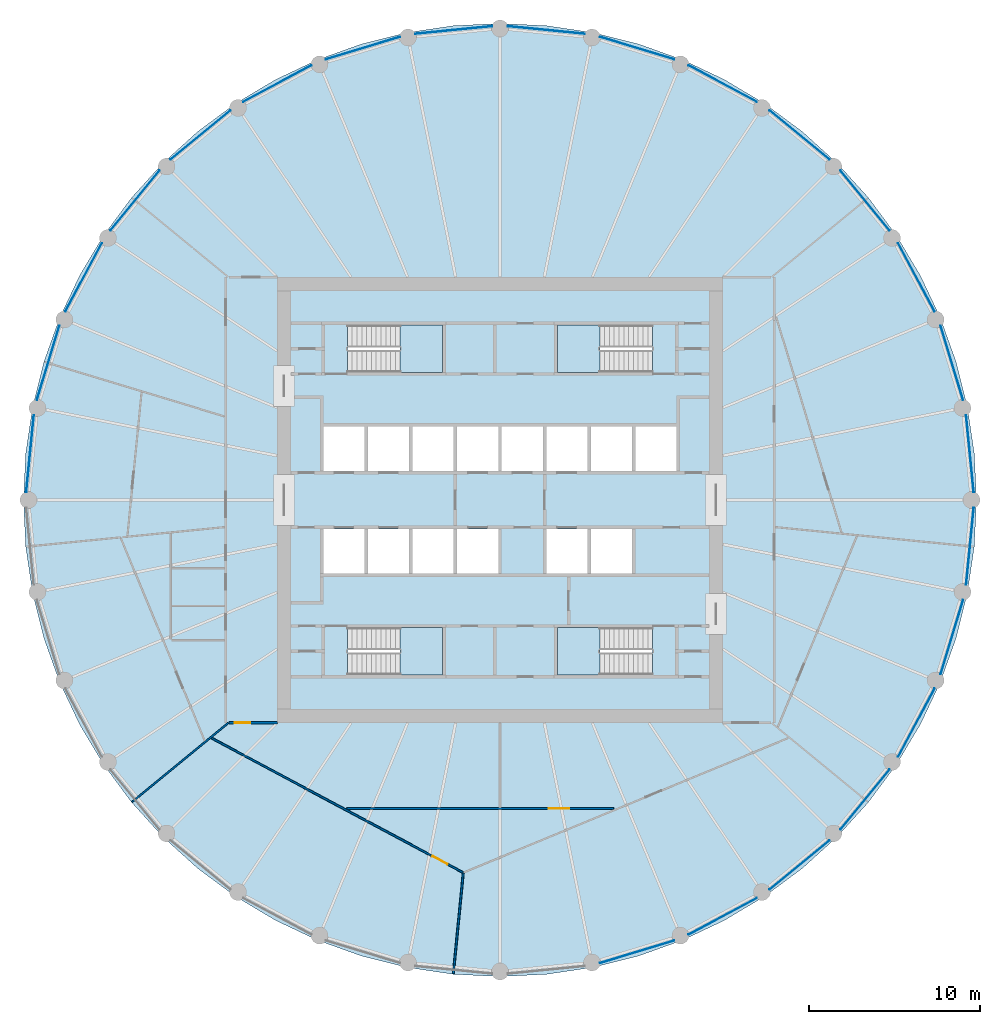
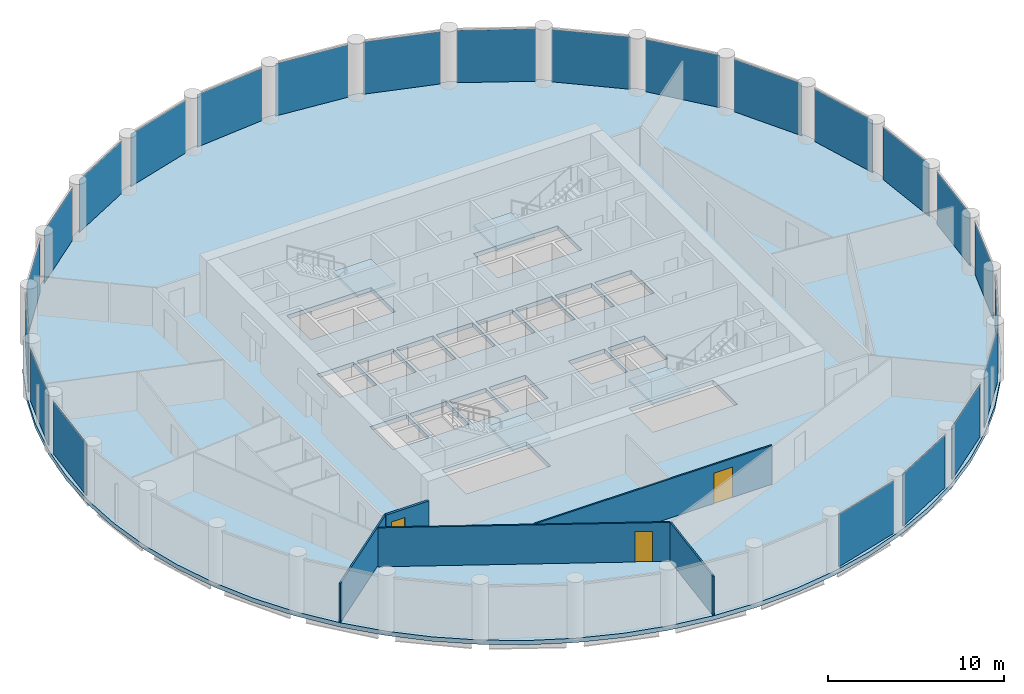
# One storey, part 3 of 8: 23 plates, 5 slabs, 5 walls, 3 doors, 3 openings, 27 elements without a shape of their own.
"""IFC4 building model written with IfcOpenShell, lengths in metres."""

from ifc_helpers import new_model, si_unit, direction, frame, frame_2d, origin, origin_2d, place, context, subcontext, project, spatial, polyline, rectangle, outline, extrude, material, layer, layer_set, type_object, element, fill, aggregate, save


model = new_model("IFC4")

# Units and contexts
model_context = context("Model", 3, precision=1e-05, world=origin(), true_north=direction((0.0, 1.0)))
body_context = subcontext(model_context, "Body", "Model", "MODEL_VIEW")
ifc_project = project(units=[si_unit("LENGTHUNIT", "METRE"), si_unit("AREAUNIT", "SQUARE_METRE"), si_unit("VOLUMEUNIT", "CUBIC_METRE"), si_unit("PLANEANGLEUNIT", "RADIAN"), si_unit("MASSUNIT", "GRAM", prefix="KILO")], contexts=[model_context])

# Site, building, storey
site_placement = place(None, origin())
site = spatial("IfcSite", under=ifc_project, at=site_placement, CompositionType="ELEMENT")
building_placement = place(site_placement, origin())
building = spatial("IfcBuilding", under=site, at=building_placement, Name="Corvane Civic Tower", CompositionType="ELEMENT")
storey_placement = place(building_placement, frame((0.0, 0.0, 229.5)))
storey = spatial("IfcBuildingStorey", under=building, at=storey_placement, Name="L54", CompositionType="ELEMENT", Elevation=229.5)

# Slab
ifc_material_1 = material(Name="Concrete C40/50", Category="concrete")
ifc_layer_1 = layer(ifc_material_1, 0.300048828125)
ifc_layer_set_1 = layer_set([ifc_layer_1], Name="Concrete C40/50")
slab_type_1 = type_object("IfcSlabType", Name="FLOOR SLAB 300", PredefinedType="FLOOR", material=ifc_layer_set_1)
slab_1_placement = place(storey_placement, frame((0.0, 0.0, -0.300048828125)))
element("IfcSlab", 1, at=slab_1_placement, inside=storey, type_object=slab_type_1, Name="SLB-L54", PredefinedType="FLOOR", context=body_context, shape_type="SweptSolid", body=[
    extrude(outline(polyline([(0.0, 27.800048828125), (-2.724853515625, 27.666015625), (-5.423583984375, 27.265869140625), (-8.06982421875, 26.60302734375), (-10.638671875, 25.683837890625), (-13.104736328125, 24.517333984375), (-15.44482421875, 23.11474609375), (-17.63623046875, 21.48974609375), (-19.657470703125, 19.657470703125), (-21.48974609375, 17.63623046875), (-23.11474609375, 15.44482421875), (-24.517333984375, 13.104736328125), (-25.683837890625, 10.638671875), (-26.60302734375, 8.06982421875), (-27.265869140625, 5.423583984375), (-27.666015625, 2.724853515625), (-27.800048828125, 0.0), (-27.666015625, -2.724853515625), (-27.265869140625, -5.423583984375), (-26.60302734375, -8.06982421875), (-25.683837890625, -10.638671875), (-24.517333984375, -13.104736328125), (-23.11474609375, -15.44482421875), (-21.48974609375, -17.63623046875), (-19.657470703125, -19.657470703125), (-17.63623046875, -21.48974609375), (-15.44482421875, -23.11474609375), (-13.104736328125, -24.517333984375), (-10.638671875, -25.683837890625), (-8.06982421875, -26.60302734375), (-5.423583984375, -27.265869140625), (-2.724853515625, -27.666015625), (0.0, -27.800048828125), (2.724853515625, -27.666015625), (5.423583984375, -27.265869140625), (8.06982421875, -26.60302734375), (10.638671875, -25.683837890625), (13.104736328125, -24.517333984375), (15.44482421875, -23.11474609375), (17.63623046875, -21.48974609375), (19.657470703125, -19.657470703125), (21.48974609375, -17.63623046875), (23.11474609375, -15.44482421875), (24.517333984375, -13.104736328125), (25.683837890625, -10.638671875), (26.60302734375, -8.06982421875), (27.265869140625, -5.423583984375), (27.666015625, -2.724853515625), (27.800048828125, 0.0), (27.666015625, 2.724853515625), (27.265869140625, 5.423583984375), (26.60302734375, 8.06982421875), (25.683837890625, 10.638671875), (24.517333984375, 13.104736328125), (23.11474609375, 15.44482421875), (21.48974609375, 17.63623046875), (19.657470703125, 19.657470703125), (17.63623046875, 21.48974609375), (15.44482421875, 23.11474609375), (13.104736328125, 24.517333984375), (10.638671875, 25.683837890625), (8.06982421875, 26.60302734375), (5.423583984375, 27.265869140625), (2.724853515625, 27.666015625), (0.0, 27.800048828125)]), holes=[polyline([(-10.300048828125, 4.300048828125), (-7.89990234375, 4.300048828125), (-7.89990234375, 1.699951171875), (-10.300048828125, 1.699951171875), (-10.300048828125, 4.300048828125)]), polyline([(-5.300048828125, 1.699951171875), (-7.699951171875, 1.699951171875), (-7.699951171875, 4.300048828125), (-5.300048828125, 4.300048828125), (-5.300048828125, 1.699951171875)]), polyline([(-5.10009765625, 4.300048828125), (-2.699951171875, 4.300048828125), (-2.699951171875, 1.699951171875), (-5.10009765625, 1.699951171875), (-5.10009765625, 4.300048828125)]), polyline([(-0.10009765625, 4.300048828125), (-0.10009765625, 1.699951171875), (-2.5, 1.699951171875), (-2.5, 4.300048828125), (-0.10009765625, 4.300048828125)]), polyline([(2.5, 4.300048828125), (2.5, 1.699951171875), (0.10009765625, 1.699951171875), (0.10009765625, 4.300048828125), (2.5, 4.300048828125)]), polyline([(2.699951171875, 4.300048828125), (5.10009765625, 4.300048828125), (5.10009765625, 1.699951171875), (2.699951171875, 1.699951171875), (2.699951171875, 4.300048828125)]), polyline([(5.300048828125, 4.300048828125), (7.699951171875, 4.300048828125), (7.699951171875, 1.699951171875), (5.300048828125, 1.699951171875), (5.300048828125, 4.300048828125)]), polyline([(7.89990234375, 4.300048828125), (10.300048828125, 4.300048828125), (10.300048828125, 1.699951171875), (7.89990234375, 1.699951171875), (7.89990234375, 4.300048828125)]), polyline([(-10.300048828125, -4.300048828125), (-10.300048828125, -1.699951171875), (-7.89990234375, -1.699951171875), (-7.89990234375, -4.300048828125), (-10.300048828125, -4.300048828125)]), polyline([(-5.300048828125, -1.699951171875), (-5.300048828125, -4.300048828125), (-7.699951171875, -4.300048828125), (-7.699951171875, -1.699951171875), (-5.300048828125, -1.699951171875)]), polyline([(-5.10009765625, -4.300048828125), (-5.10009765625, -1.699951171875), (-2.699951171875, -1.699951171875), (-2.699951171875, -4.300048828125), (-5.10009765625, -4.300048828125)]), polyline([(-0.10009765625, -1.699951171875), (-0.10009765625, -4.300048828125), (-2.5, -4.300048828125), (-2.5, -1.699951171875), (-0.10009765625, -1.699951171875)]), polyline([(5.10009765625, -1.699951171875), (5.10009765625, -4.300048828125), (2.699951171875, -4.300048828125), (2.699951171875, -1.699951171875), (5.10009765625, -1.699951171875)]), polyline([(7.699951171875, -1.699951171875), (7.699951171875, -4.300048828125), (5.300048828125, -4.300048828125), (5.300048828125, -1.699951171875), (7.699951171875, -1.699951171875)]), polyline([(8.889892578125, 10.199951171875), (8.889892578125, 7.449951171875), (3.35009765625, 7.449951171875), (3.35009765625, 10.199951171875), (8.889892578125, 10.199951171875)]), polyline([(-8.889892578125, 7.449951171875), (-8.889892578125, 10.199951171875), (-3.35009765625, 10.199951171875), (-3.35009765625, 7.449951171875), (-8.889892578125, 7.449951171875)]), polyline([(8.889892578125, -7.449951171875), (8.889892578125, -10.199951171875), (3.35009765625, -10.199951171875), (3.35009765625, -7.449951171875), (8.889892578125, -7.449951171875)]), polyline([(-8.889892578125, -10.199951171875), (-8.889892578125, -7.449951171875), (-3.35009765625, -7.449951171875), (-3.35009765625, -10.199951171875), (-8.889892578125, -10.199951171875)])]), origin(), (0.0, 0.0, 1.0), 0.300048828125),
])

# Stair, slab
ifc_material_2 = material(Name="Concrete C40/50", Category="concrete")
stair_type = type_object("IfcStairType", Name="ST-STAIR-HALFTURN", PredefinedType="HALF_TURN_STAIR", material=ifc_material_2)
stair_1_placement = place(storey_placement, origin())
stair_1 = element("IfcStair", 2, at=stair_1_placement, inside=storey, type_object=stair_type, Name="L54 Exit stair ST1", PredefinedType="HALF_TURN_STAIR")
ifc_material_3 = material(Name="Concrete C40/50", Category="concrete")
ifc_layer_2 = layer(ifc_material_3, 0.199951171875)
ifc_layer_set_2 = layer_set([ifc_layer_2], Name="Concrete C40/50")
slab_type_2 = type_object("IfcSlabType", Name="ST-LANDING-RC", PredefinedType="LANDING", material=ifc_layer_set_2)
slab_2_placement = place(storey_placement, frame((0.0, 0.0, 1.800048828125)))
slab_2 = element("IfcSlab", 3, at=slab_2_placement, type_object=slab_type_2, Name="ST1 landing 1", PredefinedType="LANDING", context=body_context, shape_type="SweptSolid", body=[
    extrude(outline(polyline([(5.820068359375, 10.199951171875), (3.35009765625, 10.199951171875), (3.35009765625, 7.449951171875), (5.820068359375, 7.449951171875), (5.820068359375, 10.199951171875)])), origin(), (0.0, 0.0, 1.0), 0.199951171875),
])
aggregate(stair_1, [slab_2])

stair_2_placement = place(storey_placement, origin())
stair_2 = element("IfcStair", 4, at=stair_2_placement, inside=storey, type_object=stair_type, Name="L54 Exit stair ST2", PredefinedType="HALF_TURN_STAIR")
slab_3_placement = place(storey_placement, frame((0.0, 0.0, 1.800048828125)))
slab_3 = element("IfcSlab", 5, at=slab_3_placement, type_object=slab_type_2, Name="ST2 landing 1", PredefinedType="LANDING", context=body_context, shape_type="SweptSolid", body=[
    extrude(outline(polyline([(5.820068359375, -7.449951171875), (3.35009765625, -7.449951171875), (3.35009765625, -10.199951171875), (5.820068359375, -10.199951171875), (5.820068359375, -7.449951171875)])), origin(), (0.0, 0.0, 1.0), 0.199951171875),
])
aggregate(stair_2, [slab_3])

stair_3_placement = place(storey_placement, origin())
stair_3 = element("IfcStair", 6, at=stair_3_placement, inside=storey, type_object=stair_type, Name="L54 Exit stair ST3", PredefinedType="HALF_TURN_STAIR")
slab_4_placement = place(storey_placement, frame((0.0, 0.0, 1.800048828125)))
slab_4 = element("IfcSlab", 7, at=slab_4_placement, type_object=slab_type_2, Name="ST3 landing 1", PredefinedType="LANDING", context=body_context, shape_type="SweptSolid", body=[
    extrude(outline(polyline([(-5.820068359375, -10.199951171875), (-3.35009765625, -10.199951171875), (-3.35009765625, -7.449951171875), (-5.820068359375, -7.449951171875), (-5.820068359375, -10.199951171875)])), origin(), (0.0, 0.0, 1.0), 0.199951171875),
])
aggregate(stair_3, [slab_4])

stair_4_placement = place(storey_placement, origin())
stair_4 = element("IfcStair", 8, at=stair_4_placement, inside=storey, type_object=stair_type, Name="L54 Exit stair ST4", PredefinedType="HALF_TURN_STAIR")
slab_5_placement = place(storey_placement, frame((0.0, 0.0, 1.800048828125)))
slab_5 = element("IfcSlab", 9, at=slab_5_placement, type_object=slab_type_2, Name="ST4 landing 1", PredefinedType="LANDING", context=body_context, shape_type="SweptSolid", body=[
    extrude(outline(polyline([(-5.820068359375, 7.449951171875), (-3.35009765625, 7.449951171875), (-3.35009765625, 10.199951171875), (-5.820068359375, 10.199951171875), (-5.820068359375, 7.449951171875)])), origin(), (0.0, 0.0, 1.0), 0.199951171875),
])
aggregate(stair_4, [slab_5])

# Curtain wall, plate
ifc_material_4 = material(Name="Anodised aluminium bronze", Category="aluminium")
curtain_wall_type = type_object("IfcCurtainWallType", Name="TOWER CW-T2 STICK CURTAIN WALL", PredefinedType="NOTDEFINED", material=ifc_material_4)
curtain_wall_1_placement = place(storey_placement, origin())
curtain_wall_1 = element("IfcCurtainWall", 10, at=curtain_wall_1_placement, inside=storey, type_object=curtain_wall_type, Name="Curtain wall CW-T2 L54 bay 01", PredefinedType="NOTDEFINED")
ifc_material_5 = material(Name="Tinted glass", Category="glass")
ifc_layer_3 = layer(ifc_material_5, 0.031982421875)
ifc_layer_set_3 = layer_set([ifc_layer_3], Name="Tinted glass")
plate_type = type_object("IfcPlateType", Name="TOWER CW-T2 PANEL IGU32", PredefinedType="CURTAIN_PANEL", material=ifc_layer_set_3)
plate_1_placement = place(storey_placement, frame((2.699951171875, 27.4140625, 0.0), z_axis=(0.0, 0.0, 1.0), x_axis=(0.995187058378, -0.097993463235, 0.0)))
plate_1 = element("IfcPlate", 11, at=plate_1_placement, type_object=plate_type, Name="Glass panel CW-T2 L54 01.1", PredefinedType="CURTAIN_PANEL", context=body_context, shape_type="SweptSolid", body=[
    extrude(rectangle(XDim=4.517333984375, YDim=0.031982421875, at=origin_2d()), origin(), (0.0, 0.0, 1.0), 3.6298828125),
])
aggregate(curtain_wall_1, [plate_1])

curtain_wall_2_placement = place(storey_placement, origin())
curtain_wall_2 = element("IfcCurtainWall", 12, at=curtain_wall_2_placement, inside=storey, type_object=curtain_wall_type, Name="Curtain wall CW-T2 L54 bay 02", PredefinedType="NOTDEFINED")
plate_2_placement = place(storey_placement, frame((7.996337890625, 26.360595703125, 0.0), z_axis=(0.0, 0.0, 1.0), x_axis=(0.956938843612, -0.290289596069, 0.0)))
plate_2 = element("IfcPlate", 13, at=plate_2_placement, type_object=plate_type, Name="Glass panel CW-T2 L54 02.1", PredefinedType="CURTAIN_PANEL", context=body_context, shape_type="SweptSolid", body=[
    extrude(rectangle(XDim=4.517333984375, YDim=0.031982421875, at=origin_2d()), origin(), (0.0, 0.0, 1.0), 3.6298828125),
])
aggregate(curtain_wall_2, [plate_2])

curtain_wall_3_placement = place(storey_placement, origin())
curtain_wall_3 = element("IfcCurtainWall", 14, at=curtain_wall_3_placement, inside=storey, type_object=curtain_wall_type, Name="Curtain wall CW-T2 L54 bay 03", PredefinedType="NOTDEFINED")
plate_3_placement = place(storey_placement, frame((12.9853515625, 24.294189453125, 0.0), z_axis=(0.0, 0.0, 1.0), x_axis=(0.881920381001, -0.471398389449, 0.0)))
plate_3 = element("IfcPlate", 15, at=plate_3_placement, type_object=plate_type, Name="Glass panel CW-T2 L54 03.1", PredefinedType="CURTAIN_PANEL", context=body_context, shape_type="SweptSolid", body=[
    extrude(rectangle(XDim=4.517333984375, YDim=0.031982421875, at=origin_2d()), origin(), (0.0, 0.0, 1.0), 3.6298828125),
])
aggregate(curtain_wall_3, [plate_3])

curtain_wall_4_placement = place(storey_placement, origin())
curtain_wall_4 = element("IfcCurtainWall", 16, at=curtain_wall_4_placement, inside=storey, type_object=curtain_wall_type, Name="Curtain wall CW-T2 L54 bay 04", PredefinedType="NOTDEFINED")
plate_4_placement = place(storey_placement, frame((17.475341796875, 21.2939453125, 0.0), z_axis=(0.0, 0.0, 1.0), x_axis=(0.773012269331, -0.634391071394, 0.0)))
plate_4 = element("IfcPlate", 17, at=plate_4_placement, type_object=plate_type, Name="Glass panel CW-T2 L54 04.1", PredefinedType="CURTAIN_PANEL", context=body_context, shape_type="SweptSolid", body=[
    extrude(rectangle(XDim=4.517333984375, YDim=0.031982421875, at=origin_2d()), origin(), (0.0, 0.0, 1.0), 3.6298828125),
])
aggregate(curtain_wall_4, [plate_4])

curtain_wall_5_placement = place(storey_placement, origin())
curtain_wall_5 = element("IfcCurtainWall", 18, at=curtain_wall_5_placement, inside=storey, type_object=curtain_wall_type, Name="Curtain wall CW-T2 L54 bay 05", PredefinedType="NOTDEFINED")
plate_5_placement = place(storey_placement, frame((21.2939453125, 17.475341796875, 0.0), z_axis=(0.0, 0.0, 1.0), x_axis=(0.634391071394, -0.773012269331, 0.0)))
plate_5 = element("IfcPlate", 19, at=plate_5_placement, type_object=plate_type, Name="Glass panel CW-T2 L54 05.1", PredefinedType="CURTAIN_PANEL", context=body_context, shape_type="SweptSolid", body=[
    extrude(rectangle(XDim=4.517333984375, YDim=0.031982421875, at=origin_2d()), origin(), (0.0, 0.0, 1.0), 3.6298828125),
])
aggregate(curtain_wall_5, [plate_5])

curtain_wall_6_placement = place(storey_placement, origin())
curtain_wall_6 = element("IfcCurtainWall", 20, at=curtain_wall_6_placement, inside=storey, type_object=curtain_wall_type, Name="Curtain wall CW-T2 L54 bay 06", PredefinedType="NOTDEFINED")
plate_6_placement = place(storey_placement, frame((24.294189453125, 12.9853515625, 0.0), z_axis=(0.0, 0.0, 1.0), x_axis=(0.471398389449, -0.881920381001, 0.0)))
plate_6 = element("IfcPlate", 21, at=plate_6_placement, type_object=plate_type, Name="Glass panel CW-T2 L54 06.1", PredefinedType="CURTAIN_PANEL", context=body_context, shape_type="SweptSolid", body=[
    extrude(rectangle(XDim=4.517333984375, YDim=0.031982421875, at=origin_2d()), origin(), (0.0, 0.0, 1.0), 3.6298828125),
])
aggregate(curtain_wall_6, [plate_6])

curtain_wall_7_placement = place(storey_placement, origin())
curtain_wall_7 = element("IfcCurtainWall", 22, at=curtain_wall_7_placement, inside=storey, type_object=curtain_wall_type, Name="Curtain wall CW-T2 L54 bay 07", PredefinedType="NOTDEFINED")
plate_7_placement = place(storey_placement, frame((26.360595703125, 7.996337890625, 0.0), z_axis=(0.0, 0.0, 1.0), x_axis=(0.290289596069, -0.956938843612, 0.0)))
plate_7 = element("IfcPlate", 23, at=plate_7_placement, type_object=plate_type, Name="Glass panel CW-T2 L54 07.1", PredefinedType="CURTAIN_PANEL", context=body_context, shape_type="SweptSolid", body=[
    extrude(rectangle(XDim=4.517333984375, YDim=0.031982421875, at=origin_2d()), origin(), (0.0, 0.0, 1.0), 3.6298828125),
])
aggregate(curtain_wall_7, [plate_7])

curtain_wall_8_placement = place(storey_placement, origin())
curtain_wall_8 = element("IfcCurtainWall", 24, at=curtain_wall_8_placement, inside=storey, type_object=curtain_wall_type, Name="Curtain wall CW-T2 L54 bay 08", PredefinedType="NOTDEFINED")
plate_8_placement = place(storey_placement, frame((27.4140625, 2.699951171875, 0.0), z_axis=(0.0, 0.0, 1.0), x_axis=(0.097993463235, -0.995187058378, 0.0)))
plate_8 = element("IfcPlate", 25, at=plate_8_placement, type_object=plate_type, Name="Glass panel CW-T2 L54 08.1", PredefinedType="CURTAIN_PANEL", context=body_context, shape_type="SweptSolid", body=[
    extrude(rectangle(XDim=4.517333984375, YDim=0.031982421875, at=origin_2d()), origin(), (0.0, 0.0, 1.0), 3.6298828125),
])
aggregate(curtain_wall_8, [plate_8])

curtain_wall_9_placement = place(storey_placement, origin())
curtain_wall_9 = element("IfcCurtainWall", 26, at=curtain_wall_9_placement, inside=storey, type_object=curtain_wall_type, Name="Curtain wall CW-T2 L54 bay 09", PredefinedType="NOTDEFINED")
plate_9_placement = place(storey_placement, frame((27.4140625, -2.699951171875, 0.0), z_axis=(0.0, 0.0, 1.0), x_axis=(-0.097993463235, -0.995187058378, 0.0)))
plate_9 = element("IfcPlate", 27, at=plate_9_placement, type_object=plate_type, Name="Glass panel CW-T2 L54 09.1", PredefinedType="CURTAIN_PANEL", context=body_context, shape_type="SweptSolid", body=[
    extrude(rectangle(XDim=4.517333984375, YDim=0.031982421875, at=origin_2d()), origin(), (0.0, 0.0, 1.0), 3.6298828125),
])
aggregate(curtain_wall_9, [plate_9])

curtain_wall_10_placement = place(storey_placement, origin())
curtain_wall_10 = element("IfcCurtainWall", 28, at=curtain_wall_10_placement, inside=storey, type_object=curtain_wall_type, Name="Curtain wall CW-T2 L54 bay 10", PredefinedType="NOTDEFINED")
plate_10_placement = place(storey_placement, frame((26.360595703125, -7.996337890625, 0.0), z_axis=(0.0, 0.0, 1.0), x_axis=(-0.290289596069, -0.956938843612, 0.0)))
plate_10 = element("IfcPlate", 29, at=plate_10_placement, type_object=plate_type, Name="Glass panel CW-T2 L54 10.1", PredefinedType="CURTAIN_PANEL", context=body_context, shape_type="SweptSolid", body=[
    extrude(rectangle(XDim=4.517333984375, YDim=0.031982421875, at=origin_2d()), origin(), (0.0, 0.0, 1.0), 3.6298828125),
])
aggregate(curtain_wall_10, [plate_10])

curtain_wall_11_placement = place(storey_placement, origin())
curtain_wall_11 = element("IfcCurtainWall", 30, at=curtain_wall_11_placement, inside=storey, type_object=curtain_wall_type, Name="Curtain wall CW-T2 L54 bay 11", PredefinedType="NOTDEFINED")
plate_11_placement = place(storey_placement, frame((24.294189453125, -12.9853515625, 0.0), z_axis=(0.0, 0.0, 1.0), x_axis=(-0.471398389449, -0.881920381001, 0.0)))
plate_11 = element("IfcPlate", 31, at=plate_11_placement, type_object=plate_type, Name="Glass panel CW-T2 L54 11.1", PredefinedType="CURTAIN_PANEL", context=body_context, shape_type="SweptSolid", body=[
    extrude(rectangle(XDim=4.517333984375, YDim=0.031982421875, at=origin_2d()), origin(), (0.0, 0.0, 1.0), 3.6298828125),
])
aggregate(curtain_wall_11, [plate_11])

curtain_wall_12_placement = place(storey_placement, origin())
curtain_wall_12 = element("IfcCurtainWall", 32, at=curtain_wall_12_placement, inside=storey, type_object=curtain_wall_type, Name="Curtain wall CW-T2 L54 bay 12", PredefinedType="NOTDEFINED")
plate_12_placement = place(storey_placement, frame((21.2939453125, -17.475341796875, 0.0), z_axis=(0.0, 0.0, 1.0), x_axis=(-0.634391071394, -0.773012269331, 0.0)))
plate_12 = element("IfcPlate", 33, at=plate_12_placement, type_object=plate_type, Name="Glass panel CW-T2 L54 12.1", PredefinedType="CURTAIN_PANEL", context=body_context, shape_type="SweptSolid", body=[
    extrude(rectangle(XDim=4.517333984375, YDim=0.031982421875, at=origin_2d()), origin(), (0.0, 0.0, 1.0), 3.6298828125),
])
aggregate(curtain_wall_12, [plate_12])

curtain_wall_13_placement = place(storey_placement, origin())
curtain_wall_13 = element("IfcCurtainWall", 34, at=curtain_wall_13_placement, inside=storey, type_object=curtain_wall_type, Name="Curtain wall CW-T2 L54 bay 13", PredefinedType="NOTDEFINED")
plate_13_placement = place(storey_placement, frame((17.475341796875, -21.2939453125, 0.0), z_axis=(0.0, 0.0, 1.0), x_axis=(-0.773012269331, -0.634391071394, 0.0)))
plate_13 = element("IfcPlate", 35, at=plate_13_placement, type_object=plate_type, Name="Glass panel CW-T2 L54 13.1", PredefinedType="CURTAIN_PANEL", context=body_context, shape_type="SweptSolid", body=[
    extrude(rectangle(XDim=4.517333984375, YDim=0.031982421875, at=origin_2d()), origin(), (0.0, 0.0, 1.0), 3.6298828125),
])
aggregate(curtain_wall_13, [plate_13])

curtain_wall_14_placement = place(storey_placement, origin())
curtain_wall_14 = element("IfcCurtainWall", 36, at=curtain_wall_14_placement, inside=storey, type_object=curtain_wall_type, Name="Curtain wall CW-T2 L54 bay 14", PredefinedType="NOTDEFINED")
plate_14_placement = place(storey_placement, frame((12.9853515625, -24.294189453125, 0.0), z_axis=(0.0, 0.0, 1.0), x_axis=(-0.881920381001, -0.471398389449, 0.0)))
plate_14 = element("IfcPlate", 37, at=plate_14_placement, type_object=plate_type, Name="Glass panel CW-T2 L54 14.1", PredefinedType="CURTAIN_PANEL", context=body_context, shape_type="SweptSolid", body=[
    extrude(rectangle(XDim=4.517333984375, YDim=0.031982421875, at=origin_2d()), origin(), (0.0, 0.0, 1.0), 3.6298828125),
])
aggregate(curtain_wall_14, [plate_14])

curtain_wall_15_placement = place(storey_placement, origin())
curtain_wall_15 = element("IfcCurtainWall", 38, at=curtain_wall_15_placement, inside=storey, type_object=curtain_wall_type, Name="Curtain wall CW-T2 L54 bay 15", PredefinedType="NOTDEFINED")
plate_15_placement = place(storey_placement, frame((7.996337890625, -26.360595703125, 0.0), z_axis=(0.0, 0.0, 1.0), x_axis=(-0.956938843612, -0.290289596069, 0.0)))
plate_15 = element("IfcPlate", 39, at=plate_15_placement, type_object=plate_type, Name="Glass panel CW-T2 L54 15.1", PredefinedType="CURTAIN_PANEL", context=body_context, shape_type="SweptSolid", body=[
    extrude(rectangle(XDim=4.517333984375, YDim=0.031982421875, at=origin_2d()), origin(), (0.0, 0.0, 1.0), 3.6298828125),
])
aggregate(curtain_wall_15, [plate_15])

curtain_wall_16_placement = place(storey_placement, origin())
curtain_wall_16 = element("IfcCurtainWall", 40, at=curtain_wall_16_placement, inside=storey, type_object=curtain_wall_type, Name="Curtain wall CW-T2 L54 bay 25", PredefinedType="NOTDEFINED")
plate_16_placement = place(storey_placement, frame((-27.4140625, 2.699951171875, 0.0), z_axis=(0.0, 0.0, 1.0), x_axis=(0.097993463235, 0.995187058378, 0.0)))
plate_16 = element("IfcPlate", 41, at=plate_16_placement, type_object=plate_type, Name="Glass panel CW-T2 L54 25.1", PredefinedType="CURTAIN_PANEL", context=body_context, shape_type="SweptSolid", body=[
    extrude(rectangle(XDim=4.517333984375, YDim=0.031982421875, at=origin_2d()), origin(), (0.0, 0.0, 1.0), 3.6298828125),
])
aggregate(curtain_wall_16, [plate_16])

curtain_wall_17_placement = place(storey_placement, origin())
curtain_wall_17 = element("IfcCurtainWall", 42, at=curtain_wall_17_placement, inside=storey, type_object=curtain_wall_type, Name="Curtain wall CW-T2 L54 bay 26", PredefinedType="NOTDEFINED")
plate_17_placement = place(storey_placement, frame((-26.360595703125, 7.996337890625, 0.0), z_axis=(0.0, 0.0, 1.0), x_axis=(0.290289596069, 0.956938843612, 0.0)))
plate_17 = element("IfcPlate", 43, at=plate_17_placement, type_object=plate_type, Name="Glass panel CW-T2 L54 26.1", PredefinedType="CURTAIN_PANEL", context=body_context, shape_type="SweptSolid", body=[
    extrude(rectangle(XDim=4.517333984375, YDim=0.031982421875, at=origin_2d()), origin(), (0.0, 0.0, 1.0), 3.6298828125),
])
aggregate(curtain_wall_17, [plate_17])

curtain_wall_18_placement = place(storey_placement, origin())
curtain_wall_18 = element("IfcCurtainWall", 44, at=curtain_wall_18_placement, inside=storey, type_object=curtain_wall_type, Name="Curtain wall CW-T2 L54 bay 27", PredefinedType="NOTDEFINED")
plate_18_placement = place(storey_placement, frame((-24.294189453125, 12.9853515625, 0.0), z_axis=(0.0, 0.0, 1.0), x_axis=(0.471398389449, 0.881920381001, 0.0)))
plate_18 = element("IfcPlate", 45, at=plate_18_placement, type_object=plate_type, Name="Glass panel CW-T2 L54 27.1", PredefinedType="CURTAIN_PANEL", context=body_context, shape_type="SweptSolid", body=[
    extrude(rectangle(XDim=4.517333984375, YDim=0.031982421875, at=origin_2d()), origin(), (0.0, 0.0, 1.0), 3.6298828125),
])
aggregate(curtain_wall_18, [plate_18])

curtain_wall_19_placement = place(storey_placement, origin())
curtain_wall_19 = element("IfcCurtainWall", 46, at=curtain_wall_19_placement, inside=storey, type_object=curtain_wall_type, Name="Curtain wall CW-T2 L54 bay 28", PredefinedType="NOTDEFINED")
plate_19_placement = place(storey_placement, frame((-21.2939453125, 17.475341796875, 0.0), z_axis=(0.0, 0.0, 1.0), x_axis=(0.634391071394, 0.773012269331, 0.0)))
plate_19 = element("IfcPlate", 47, at=plate_19_placement, type_object=plate_type, Name="Glass panel CW-T2 L54 28.1", PredefinedType="CURTAIN_PANEL", context=body_context, shape_type="SweptSolid", body=[
    extrude(rectangle(XDim=4.517333984375, YDim=0.031982421875, at=origin_2d()), origin(), (0.0, 0.0, 1.0), 3.6298828125),
])
aggregate(curtain_wall_19, [plate_19])

curtain_wall_20_placement = place(storey_placement, origin())
curtain_wall_20 = element("IfcCurtainWall", 48, at=curtain_wall_20_placement, inside=storey, type_object=curtain_wall_type, Name="Curtain wall CW-T2 L54 bay 29", PredefinedType="NOTDEFINED")
plate_20_placement = place(storey_placement, frame((-17.475341796875, 21.2939453125, 0.0), z_axis=(0.0, 0.0, 1.0), x_axis=(0.773012269331, 0.634391071394, 0.0)))
plate_20 = element("IfcPlate", 49, at=plate_20_placement, type_object=plate_type, Name="Glass panel CW-T2 L54 29.1", PredefinedType="CURTAIN_PANEL", context=body_context, shape_type="SweptSolid", body=[
    extrude(rectangle(XDim=4.517333984375, YDim=0.031982421875, at=origin_2d()), origin(), (0.0, 0.0, 1.0), 3.6298828125),
])
aggregate(curtain_wall_20, [plate_20])

curtain_wall_21_placement = place(storey_placement, origin())
curtain_wall_21 = element("IfcCurtainWall", 50, at=curtain_wall_21_placement, inside=storey, type_object=curtain_wall_type, Name="Curtain wall CW-T2 L54 bay 30", PredefinedType="NOTDEFINED")
plate_21_placement = place(storey_placement, frame((-12.9853515625, 24.294189453125, 0.0), z_axis=(0.0, 0.0, 1.0), x_axis=(0.881920381001, 0.471398389449, 0.0)))
plate_21 = element("IfcPlate", 51, at=plate_21_placement, type_object=plate_type, Name="Glass panel CW-T2 L54 30.1", PredefinedType="CURTAIN_PANEL", context=body_context, shape_type="SweptSolid", body=[
    extrude(rectangle(XDim=4.517333984375, YDim=0.031982421875, at=origin_2d()), origin(), (0.0, 0.0, 1.0), 3.6298828125),
])
aggregate(curtain_wall_21, [plate_21])

curtain_wall_22_placement = place(storey_placement, origin())
curtain_wall_22 = element("IfcCurtainWall", 52, at=curtain_wall_22_placement, inside=storey, type_object=curtain_wall_type, Name="Curtain wall CW-T2 L54 bay 31", PredefinedType="NOTDEFINED")
plate_22_placement = place(storey_placement, frame((-7.996337890625, 26.360595703125, 0.0), z_axis=(0.0, 0.0, 1.0), x_axis=(0.956938843612, 0.290289596069, 0.0)))
plate_22 = element("IfcPlate", 53, at=plate_22_placement, type_object=plate_type, Name="Glass panel CW-T2 L54 31.1", PredefinedType="CURTAIN_PANEL", context=body_context, shape_type="SweptSolid", body=[
    extrude(rectangle(XDim=4.517333984375, YDim=0.031982421875, at=origin_2d()), origin(), (0.0, 0.0, 1.0), 3.6298828125),
])
aggregate(curtain_wall_22, [plate_22])

curtain_wall_23_placement = place(storey_placement, origin())
curtain_wall_23 = element("IfcCurtainWall", 54, at=curtain_wall_23_placement, inside=storey, type_object=curtain_wall_type, Name="Curtain wall CW-T2 L54 bay 32", PredefinedType="NOTDEFINED")
plate_23_placement = place(storey_placement, frame((-2.699951171875, 27.4140625, 0.0), z_axis=(0.0, 0.0, 1.0), x_axis=(0.995187058378, 0.097993463235, 0.0)))
plate_23 = element("IfcPlate", 55, at=plate_23_placement, type_object=plate_type, Name="Glass panel CW-T2 L54 32.1", PredefinedType="CURTAIN_PANEL", context=body_context, shape_type="SweptSolid", body=[
    extrude(rectangle(XDim=4.517333984375, YDim=0.031982421875, at=origin_2d()), origin(), (0.0, 0.0, 1.0), 3.6298828125),
])
aggregate(curtain_wall_23, [plate_23])

# Wall
ifc_material_6 = material(Name="Plasterboard")
ifc_layer_4 = layer(ifc_material_6, 0.10009765625)
ifc_layer_set_4 = layer_set([ifc_layer_4], Name="Plasterboard")
wall_type_1 = type_object("IfcWallType", Name="Partition 100 plasterboard on studs", PredefinedType="PARTITIONING", material=ifc_layer_set_4)
wall_1_placement = place(storey_placement, frame((-2.719970703125, -27.616455078125, 0.0), z_axis=(0.0, 0.0, 1.0), x_axis=(0.098009744107, 0.995185455109, 0.0)))
element("IfcWall", 56, at=wall_1_placement, inside=storey, type_object=wall_type_1, Name="Partition L54.001", PredefinedType="PARTITIONING", context=body_context, shape_type="SweptSolid", body=[
    extrude(rectangle(XDim=5.873779296875, YDim=0.10009765625, at=frame_2d((2.93701171875, 0.0))), origin(), (0.0, 0.0, 1.0), 2.699951171875),
])

# Wall, opening, door
wall_2_placement = place(storey_placement, frame((-16.81884765625, -13.892333984375, 0.0), z_axis=(0.0, 0.0, 1.0), x_axis=(0.881919236534, -0.471400530581, 0.0)))
wall_2 = element("IfcWall", 57, at=wall_2_placement, inside=storey, type_object=wall_type_1, Name="Partition L54.003", PredefinedType="PARTITIONING", context=body_context, shape_type="SweptSolid", body=[
    extrude(rectangle(XDim=16.609619140625, YDim=0.10009765625, at=frame_2d((8.3046875, 0.0))), origin(), (0.0, 0.0, 1.0), 2.699951171875),
])
opening_1_placement = place(wall_2_placement, frame((14.60888671875, 0.0, 0.0)))
opening_1 = element("IfcOpeningElement", 58, at=opening_1_placement, cuts=wall_2, Name="Opening L54.003", PredefinedType="OPENING", context=body_context, shape_type="SweptSolid", body=[
    extrude(rectangle(XDim=1.0, YDim=2.10009765625, at=frame_2d((0.5, 1.050048828125))), frame((0.0, 0.06005859375, 0.0), z_axis=(0.0, -1.0, 0.0), x_axis=(1.0, 0.0, 0.0)), (0.0, 0.0, 1.0), 0.1201171875),
])
ifc_material_7 = material(Name="Timber", Category="wood")
door_type_1 = type_object("IfcDoorType", Name="Single door 1000", OperationType="NOTDEFINED", PredefinedType="DOOR", material=ifc_material_7)
door_1_placement = place(opening_1_placement, frame((1.0, 0.0, 0.0), z_axis=(0.0, 0.0, 1.0), x_axis=(-1.0, 0.0, 0.0)))
door_1 = element("IfcDoor", 59, at=door_1_placement, inside=storey, type_object=door_type_1, Name="Door L54.003", OperationType="SINGLE_SWING_LEFT", OverallHeight=2.10009765625, OverallWidth=1.0, PredefinedType="DOOR", context=body_context, shape_type="SweptSolid", body=[
    extrude(rectangle(XDim=1.0, YDim=2.10009765625, at=frame_2d((0.5, 1.050048828125))), frame((0.0, 0.02490234375, 0.0), z_axis=(0.0, -1.0, 0.0), x_axis=(1.0, 0.0, 0.0)), (0.0, 0.0, 1.0), 0.050048828125),
])
fill(opening_1, door_1)

wall_3_placement = place(storey_placement, frame((-8.9345703125, -18.0, 0.0), z_axis=(0.0, 0.0, 1.0), x_axis=(1.0, 0.0, 0.0)))
wall_3 = element("IfcWall", 60, at=wall_3_placement, inside=storey, type_object=wall_type_1, Name="Partition L54.004", PredefinedType="PARTITIONING", context=body_context, shape_type="SweptSolid", body=[
    extrude(rectangle(XDim=15.566162109375, YDim=0.10009765625, at=frame_2d((7.783203125, 0.0))), origin(), (0.0, 0.0, 1.0), 2.699951171875),
])
opening_2_placement = place(wall_3_placement, frame((11.77587890625, 0.0, 0.0)))
opening_2 = element("IfcOpeningElement", 61, at=opening_2_placement, cuts=wall_3, Name="Opening L54.004", PredefinedType="OPENING", context=body_context, shape_type="SweptSolid", body=[
    extrude(rectangle(XDim=1.199951171875, YDim=2.10009765625, at=frame_2d((0.60009765625, 1.050048828125))), frame((0.0, 0.06005859375, 0.0), z_axis=(0.0, -1.0, 0.0), x_axis=(1.0, 0.0, 0.0)), (0.0, 0.0, 1.0), 0.1201171875),
])
ifc_material_8 = material(Name="Timber", Category="wood")
door_type_2 = type_object("IfcDoorType", Name="Double door 1200", OperationType="NOTDEFINED", PredefinedType="DOOR", material=ifc_material_8)
door_2_placement = place(opening_2_placement, frame((1.199951171875, 0.0, 0.0), z_axis=(0.0, 0.0, 1.0), x_axis=(-1.0, 0.0, 0.0)))
door_2 = element("IfcDoor", 62, at=door_2_placement, inside=storey, type_object=door_type_2, Name="Door L54.004", OperationType="DOUBLE_DOOR_SINGLE_SWING", OverallHeight=2.10009765625, OverallWidth=1.199951171875, PredefinedType="DOOR", context=body_context, shape_type="SweptSolid", body=[
    extrude(rectangle(XDim=1.199951171875, YDim=2.10009765625, at=frame_2d((0.60009765625, 1.050048828125))), frame((0.0, 0.02490234375, 0.0), z_axis=(0.0, -1.0, 0.0), x_axis=(1.0, 0.0, 0.0)), (0.0, 0.0, 1.0), 0.050048828125),
])
fill(opening_2, door_2)

# Wall
wall_4_placement = place(storey_placement, frame((-21.451171875, -17.6044921875, 0.0), z_axis=(0.0, 0.0, 1.0), x_axis=(0.772997895748, 0.634408585352, 0.0)))
element("IfcWall", 63, at=wall_4_placement, inside=storey, type_object=wall_type_1, Name="Partition L54.006", PredefinedType="PARTITIONING", context=body_context, shape_type="SweptSolid", body=[
    extrude(rectangle(XDim=7.240234375, YDim=0.10009765625, at=frame_2d((3.6201171875, 0.0))), origin(), (0.0, 0.0, 1.0), 2.699951171875),
])

# Wall, opening, door
ifc_material_9 = material(Name="Plasterboard")
ifc_layer_5 = layer(ifc_material_9, 0.14990234375)
ifc_layer_set_5 = layer_set([ifc_layer_5], Name="Plasterboard")
wall_type_2 = type_object("IfcWallType", Name="Tenancy wall 150 EI 60", PredefinedType="PARTITIONING", material=ifc_layer_set_5)
wall_5_placement = place(storey_placement, frame((-15.813720703125, -13.0, 0.0), z_axis=(0.0, 0.0, 1.0), x_axis=(1.0, 0.0, 0.0)))
wall_5 = element("IfcWall", 64, at=wall_5_placement, inside=storey, type_object=wall_type_2, Name="Partition L54.011", PredefinedType="PARTITIONING", context=body_context, shape_type="SweptSolid", body=[
    extrude(rectangle(XDim=2.82373046875, YDim=0.14990234375, at=frame_2d((1.411865234375, 0.0))), origin(), (0.0, 0.0, 1.0), 2.699951171875),
])
opening_3_placement = place(wall_5_placement, frame((0.353759765625, 0.0, 0.0)))
opening_3 = element("IfcOpeningElement", 65, at=opening_3_placement, cuts=wall_5, Name="Opening L54.006", PredefinedType="OPENING", context=body_context, shape_type="SweptSolid", body=[
    extrude(rectangle(XDim=0.89990234375, YDim=2.10009765625, at=frame_2d((0.449951171875, 1.050048828125))), frame((0.0, 0.0849609375, 0.0), z_axis=(0.0, -1.0, 0.0), x_axis=(1.0, 0.0, 0.0)), (0.0, 0.0, 1.0), 0.169921875),
])
ifc_material_10 = material(Name="Steel and timber", Category="steel")
door_type_3 = type_object("IfcDoorType", Name="Fire door FD30S 900", OperationType="NOTDEFINED", PredefinedType="DOOR", material=ifc_material_10)
door_3_placement = place(opening_3_placement, frame((0.89990234375, 0.0, 0.0), z_axis=(0.0, 0.0, 1.0), x_axis=(-1.0, 0.0, 0.0)))
door_3 = element("IfcDoor", 66, at=door_3_placement, inside=storey, type_object=door_type_3, Name="Door L54.006", OperationType="SINGLE_SWING_LEFT", OverallHeight=2.10009765625, OverallWidth=0.89990234375, PredefinedType="DOOR", context=body_context, shape_type="SweptSolid", body=[
    extrude(rectangle(XDim=0.89990234375, YDim=2.10009765625, at=frame_2d((0.449951171875, 1.050048828125))), frame((0.0, 0.02490234375, 0.0), z_axis=(0.0, -1.0, 0.0), x_axis=(1.0, 0.0, 0.0)), (0.0, 0.0, 1.0), 0.050048828125),
])
fill(opening_3, door_3)

save(model, "model.ifc")
